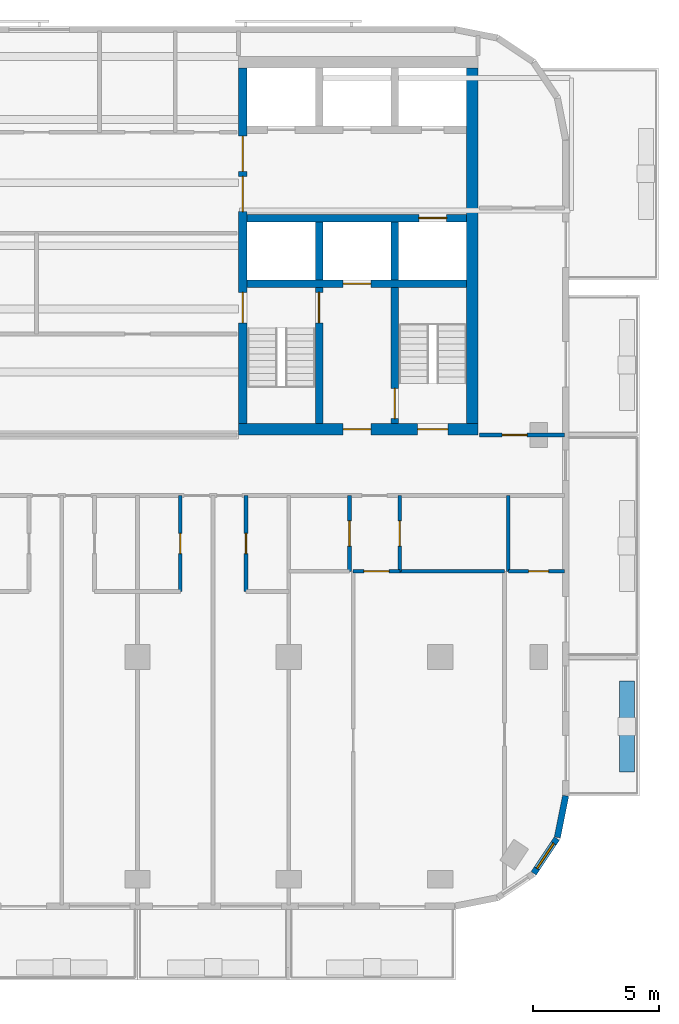
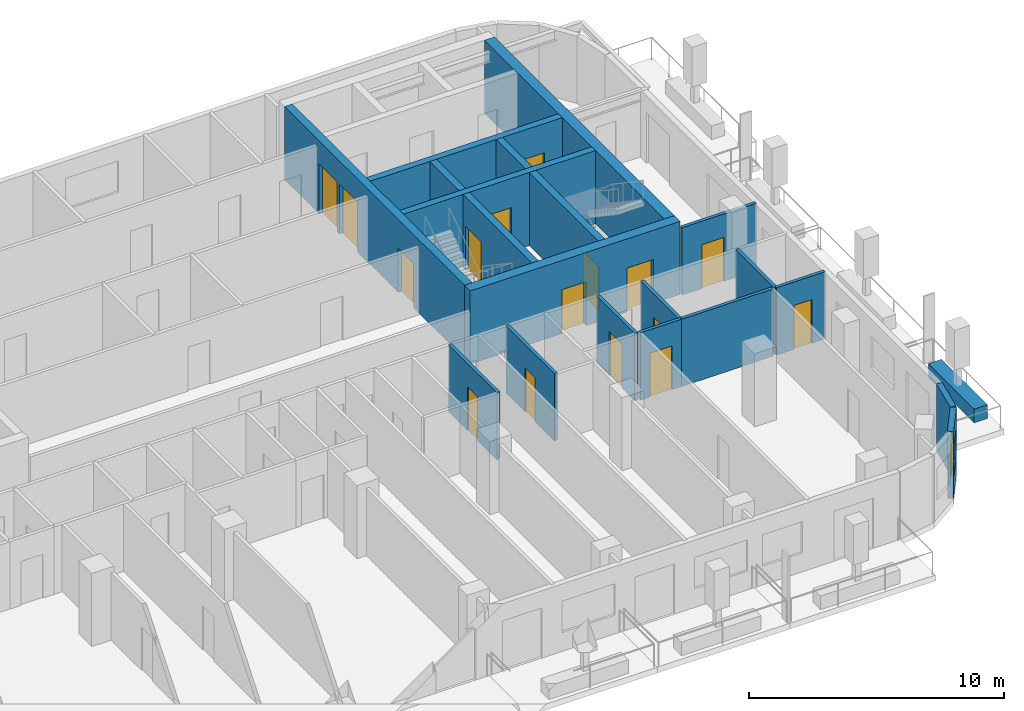
# One storey, part 5 of 11: 21 walls, 16 doors, 1 window, 17 openings.
"""IFC4 building model written with IfcOpenShell, lengths in metres."""

import ifcopenshell
import ifcopenshell.guid

model = None  # the IFC model being written
_history = None  # IfcOwnerHistory: only IFC2X3 demands one
_inside = {}  # id of a spatial element -> (the spatial element, [elements in it])
_under = {}  # id of a project, library or spatial element -> (it, [spatial elements below it])
_declared = {}  # id of a project -> (the project, [libraries it declares])
_typed = {}  # id of a type object -> (the type object, [elements of that type])
_made_of = {}  # id of a material, layer set ... -> (it, [elements and type objects made of it])


def new_model(schema):
    """Start an empty IFC model of exactly this schema.

    Asked for "IFC4X3", IfcOpenShell would pick the latest addendum, in which some entities
    have other attributes; the version numbers below select the first issue.
    IFC2X3 requires an IfcOwnerHistory on every rooted entity: one is made here for all.
    """
    global model, _history
    if schema == "IFC4X3":
        model = ifcopenshell.file(schema_version=(4, 3, 0, 0))
    else:
        model = ifcopenshell.file(schema=schema)
    _inside.clear()
    _under.clear()
    _declared.clear()
    _typed.clear()
    _made_of.clear()
    _history = None
    if model.schema == "IFC2X3":
        org = make("IfcOrganization", Name="unknown")
        user = make(
            "IfcPersonAndOrganization",
            ThePerson=make("IfcPerson", FamilyName="unknown"),
            TheOrganization=org,
        )
        app = make(
            "IfcApplication",
            ApplicationDeveloper=org,
            Version="unknown",
            ApplicationFullName="unknown",
            ApplicationIdentifier="unknown",
        )
        _history = make(
            "IfcOwnerHistory",
            OwningUser=user,
            OwningApplication=app,
            ChangeAction="ADDED",
            CreationDate=0,
        )
    return model


def make(cls, **values):
    """One entity of the class cls with the attributes given. An attribute that is None is left unset."""
    return model.create_entity(
        cls, **{name: value for name, value in values.items() if value is not None}
    )


def rooted(cls, **values):
    """An entity with a GlobalId (a new one), such as an element, a storey or a relation."""
    return make(cls, GlobalId=ifcopenshell.guid.new(), OwnerHistory=_history, **values)


def si_unit(unit_type, name, prefix=None):
    """IfcSIUnit, for example si_unit("LENGTHUNIT", "METRE", prefix="MILLI")."""
    return make("IfcSIUnit", UnitType=unit_type, Prefix=prefix, Name=name)


def assignment(units):
    """IfcUnitAssignment: the units of a project."""
    return None if units is None else make("IfcUnitAssignment", Units=units)


def point(xyz):
    """IfcCartesianPoint."""
    return None if xyz is None else make("IfcCartesianPoint", Coordinates=xyz)


def direction(xyz):
    """IfcDirection."""
    return None if xyz is None else make("IfcDirection", DirectionRatios=xyz)


def frame(location, z_axis=None, x_axis=None):
    """IfcAxis2Placement3D, a coordinate frame: its origin and axes. An axis left out is left unset."""
    return make(
        "IfcAxis2Placement3D",
        Location=point(location),
        Axis=direction(z_axis),
        RefDirection=direction(x_axis),
    )


def frame_2d(location, x_axis=None):
    """IfcAxis2Placement2D, a coordinate frame in the plane: its origin and x axis."""
    return make(
        "IfcAxis2Placement2D", Location=point(location), RefDirection=direction(x_axis)
    )


def origin():
    """The frame at (0, 0, 0) with its axes left unset."""
    return frame((0.0, 0.0, 0.0))


def place(relative_to, where):
    """IfcLocalPlacement: puts the frame where relative to a parent placement (None: the world)."""
    return make(
        "IfcLocalPlacement", PlacementRelTo=relative_to, RelativePlacement=where
    )


def context(
    kind, dimensions, precision=None, world=None, true_north=None, identifier=None
):
    """IfcGeometricRepresentationContext, for example the 3D "Model" context."""
    return make(
        "IfcGeometricRepresentationContext",
        ContextIdentifier=identifier,
        ContextType=kind,
        CoordinateSpaceDimension=dimensions,
        Precision=precision,
        WorldCoordinateSystem=world,
        TrueNorth=true_north,
    )


def subcontext(parent, identifier, kind, view, scale=None):
    """IfcGeometricRepresentationSubContext, for example "Body" below "Model"."""
    return make(
        "IfcGeometricRepresentationSubContext",
        ContextIdentifier=identifier,
        ContextType=kind,
        ParentContext=parent,
        TargetScale=scale,
        TargetView=view,
    )


def project(units=None, contexts=None):
    """IfcProject with its units and contexts."""
    return rooted(
        "IfcProject",
        Name="project",
        RepresentationContexts=contexts,
        UnitsInContext=assignment(units),
    )


def spatial(cls, under=None, at=None, **own):
    """A site, building, storey or space (cls), placed at a placement, below another one or the project."""
    s = rooted(cls, ObjectPlacement=at, **own)
    if under is not None:
        _under.setdefault(under.id(), (under, []))[1].append(s)
    return s


def profile(cls, at=None, kind="AREA", **sizes):
    """A parametric profile (cls). Its sizes go by their IFC names, for example OverallWidth=200.0."""
    return make(cls, ProfileType=kind, Position=at, **sizes)


def rectangle(**sizes):
    """IfcRectangleProfileDef."""
    return profile("IfcRectangleProfileDef", **sizes)


def extrude(swept, where, along, depth):
    """IfcExtrudedAreaSolid: the profile swept, set in the frame where, extruded along a direction by depth."""
    return make(
        "IfcExtrudedAreaSolid",
        SweptArea=swept,
        Position=where,
        ExtrudedDirection=direction(along),
        Depth=depth,
    )


def shape(context_of_items, identifier, shape_type, items):
    """IfcShapeRepresentation: the items that make up one representation, for example the "Body"."""
    return make(
        "IfcShapeRepresentation",
        ContextOfItems=context_of_items,
        RepresentationIdentifier=identifier,
        RepresentationType=shape_type,
        Items=items,
    )


def material(Name=None, Category=None):
    """IfcMaterial."""
    return make("IfcMaterial", Name=Name, Category=Category)


def layer(
    of_material, thickness, ventilated=None, Name=None, Category=None, Priority=None
):
    """IfcMaterialLayer: one layer of a wall or slab, of a material (None: an air gap)."""
    return make(
        "IfcMaterialLayer",
        Material=of_material,
        LayerThickness=thickness,
        IsVentilated=ventilated,
        Name=Name,
        Category=Category,
        Priority=Priority,
    )


def layer_set(layers, Name=None):
    """IfcMaterialLayerSet."""
    return make("IfcMaterialLayerSet", MaterialLayers=layers, LayerSetName=Name)


def made_of(thing, what):
    """Note that an element or type object is made of a material, layer set ...; save() writes the relation."""
    if what is not None:
        _made_of.setdefault(what.id(), (what, []))[1].append(thing)
    return thing


def type_object(cls, material=None, **own):
    """A type object (cls), such as IfcWallType, which elements share."""
    return made_of(rooted(cls, **own), material)


def element(
    cls,
    number,
    at=None,
    inside=None,
    cuts=None,
    type_object=None,
    material=None,
    context=None,
    identifier="Body",
    shape_type=None,
    held_by="IfcProductDefinitionShape",
    body=None,
    shapes=None,
    **own,
):
    """One element of the class cls, such as IfcWall. Its Tag is "e" and its number.

    at: its placement. inside: the storey or other place that contains it. cuts: it is an
    opening in that element (IfcRelVoidsElement). A single representation is given by context,
    identifier, shape_type and body (its items); several are given by shapes. held_by: the class
    of the entity that holds the representations. save() writes the other relations.
    """
    e = rooted(cls, Tag="e%d" % number, ObjectPlacement=at, **own)
    if body is not None:
        shapes = [shape(context, identifier, shape_type, body)]
    if shapes is not None:
        e.Representation = make(held_by, Representations=shapes)
    if inside is not None:
        _inside.setdefault(inside.id(), (inside, []))[1].append(e)
    if cuts is not None:
        rooted(
            "IfcRelVoidsElement", RelatingBuildingElement=cuts, RelatedOpeningElement=e
        )
    if type_object is not None:
        _typed.setdefault(type_object.id(), (type_object, []))[1].append(e)
    return made_of(e, material)


def fill(opening, filler):
    """IfcRelFillsElement: the door or window that sits in an opening."""
    return rooted(
        "IfcRelFillsElement",
        RelatingOpeningElement=opening,
        RelatedBuildingElement=filler,
    )


def aggregate(whole, parts):
    """IfcRelAggregates: a whole, such as a stair, and the parts it consists of."""
    return rooted("IfcRelAggregates", RelatingObject=whole, RelatedObjects=parts)


def save(model, path):
    """Write the relations noted so far, then the file.

    IfcRelAggregates (storeys below a building ...), IfcRelContainedInSpatialStructure (elements
    in a storey), IfcRelDefinesByType, IfcRelAssociatesMaterial and IfcRelDeclares: one each for
    every whole, place, type object, material and project.
    """
    for whole, parts in _under.values():
        aggregate(whole, parts)
    for where, things in _inside.values():
        rooted(
            "IfcRelContainedInSpatialStructure",
            RelatedElements=things,
            RelatingStructure=where,
        )
    for kind, things in _typed.values():
        rooted("IfcRelDefinesByType", RelatedObjects=things, RelatingType=kind)
    for what, things in _made_of.values():
        rooted("IfcRelAssociatesMaterial", RelatedObjects=things, RelatingMaterial=what)
    for by, libraries in _declared.values():
        rooted("IfcRelDeclares", RelatingContext=by, RelatedDefinitions=libraries)
    model.write(path)


model = new_model("IFC4")

# Units and contexts
model_context = context("Model", 3, precision=1e-05, world=origin(), true_north=direction((0.0, 1.0)))
body_context = subcontext(model_context, "Body", "Model", "MODEL_VIEW")
ifc_project = project(units=[si_unit("LENGTHUNIT", "METRE"), si_unit("AREAUNIT", "SQUARE_METRE"), si_unit("VOLUMEUNIT", "CUBIC_METRE"), si_unit("PLANEANGLEUNIT", "RADIAN"), si_unit("MASSUNIT", "GRAM", prefix="KILO")], contexts=[model_context])

# Site, building, storey
site_placement = place(None, origin())
site = spatial("IfcSite", under=ifc_project, at=site_placement, CompositionType="ELEMENT")
building_placement = place(site_placement, origin())
building = spatial("IfcBuilding", under=site, at=building_placement, Name="Torana Hotel and Residences", CompositionType="ELEMENT")
storey_placement = place(building_placement, frame((0.0, 0.0, 277.10009765625)))
storey = spatial("IfcBuildingStorey", under=building, at=storey_placement, Name="L73", CompositionType="ELEMENT", Elevation=277.10009765625)

# Wall, opening, door
ifc_material_1 = material(Name="Concrete C60/75", Category="concrete")
ifc_layer_1 = layer(ifc_material_1, 0.300048828125)
ifc_layer_set_1 = layer_set([ifc_layer_1], Name="CORE WALL 300 C60/75")
wall_type_1 = type_object("IfcWallType", Name="CORE WALL 300 C60/75", PredefinedType="SHEAR", material=ifc_layer_set_1)
wall_1_placement = place(storey_placement, frame((10.35009765625, -6.39990234375, 0.0), z_axis=(0.0, 0.0, 1.0), x_axis=(1.0, 0.0, 0.0)))
wall_1 = element("IfcWall", 1, at=wall_1_placement, inside=storey, type_object=wall_type_1, Name="Core wall E row-S", PredefinedType="SHEAR", context=body_context, shape_type="SweptSolid", body=[
    extrude(rectangle(XDim=8.699951171875, YDim=0.300048828125, at=frame_2d((4.35009765625, 0.0))), origin(), (0.0, 0.0, 1.0), 3.5),
])
opening_1_placement = place(wall_1_placement, frame((6.800048828125, 0.0, 0.0)))
opening_1 = element("IfcOpeningElement", 2, at=opening_1_placement, cuts=wall_1, Name="Opening LD", PredefinedType="OPENING", context=body_context, shape_type="SweptSolid", body=[
    extrude(rectangle(XDim=1.10009765625, YDim=2.10009765625, at=frame_2d((0.550048828125, 1.050048828125))), frame((0.0, 0.159912109375, 0.0), z_axis=(0.0, -1.0, 0.0), x_axis=(1.0, 0.0, 0.0)), (0.0, 0.0, 1.0), 0.320068359375),
])
ifc_material_2 = material(Name="Stainless steel 316", Category="steel")
door_type_1 = type_object("IfcDoorType", Name="LIFT LANDING DOOR LD 1100x2100", OperationType="DOUBLE_DOOR_SLIDING", PredefinedType="USERDEFINED", material=ifc_material_2)
door_1_placement = place(opening_1_placement, origin())
door_1 = element("IfcDoor", 3, at=door_1_placement, inside=storey, type_object=door_type_1, Name="Lift landing door SV2 L73", ObjectType="LIFT LANDING DOOR", OperationType="DOUBLE_DOOR_SLIDING", OverallHeight=2.10009765625, OverallWidth=1.10009765625, PredefinedType="USERDEFINED", context=body_context, shape_type="SweptSolid", body=[
    extrude(rectangle(XDim=1.10009765625, YDim=2.10009765625, at=frame_2d((0.550048828125, 1.050048828125))), frame((0.0, 0.02490234375, 0.0), z_axis=(0.0, -1.0, 0.0), x_axis=(1.0, 0.0, 0.0)), (0.0, 0.0, 1.0), 0.050048828125),
])
fill(opening_1, door_1)

wall_2_placement = place(storey_placement, frame((10.35009765625, -9.0, 0.0), z_axis=(0.0, 0.0, 1.0), x_axis=(1.0, 0.0, 0.0)))
wall_2 = element("IfcWall", 4, at=wall_2_placement, inside=storey, type_object=wall_type_1, Name="Core wall E band", PredefinedType="SHEAR", context=body_context, shape_type="SweptSolid", body=[
    extrude(rectangle(XDim=8.699951171875, YDim=0.300048828125, at=frame_2d((4.35009765625, 0.0))), origin(), (0.0, 0.0, 1.0), 3.5),
])
opening_2_placement = place(wall_2_placement, frame((3.800048828125, 0.0, 0.0)))
opening_2 = element("IfcOpeningElement", 5, at=opening_2_placement, cuts=wall_2, Name="Opening LD", PredefinedType="OPENING", context=body_context, shape_type="SweptSolid", body=[
    extrude(rectangle(XDim=1.10009765625, YDim=2.10009765625, at=frame_2d((0.550048828125, 1.050048828125))), frame((0.0, 0.159912109375, 0.0), z_axis=(0.0, -1.0, 0.0), x_axis=(1.0, 0.0, 0.0)), (0.0, 0.0, 1.0), 0.320068359375),
])
door_2_placement = place(opening_2_placement, origin())
door_2 = element("IfcDoor", 6, at=door_2_placement, inside=storey, type_object=door_type_1, Name="Lift landing door FF2 L73", ObjectType="LIFT LANDING DOOR", OperationType="DOUBLE_DOOR_SLIDING", OverallHeight=2.10009765625, OverallWidth=1.10009765625, PredefinedType="USERDEFINED", context=body_context, shape_type="SweptSolid", body=[
    extrude(rectangle(XDim=1.10009765625, YDim=2.10009765625, at=frame_2d((0.550048828125, 1.050048828125))), frame((0.0, 0.02490234375, 0.0), z_axis=(0.0, -1.0, 0.0), x_axis=(1.0, 0.0, 0.0)), (0.0, 0.0, 1.0), 0.050048828125),
])
fill(opening_2, door_2)

# Wall
wall_3_placement = place(storey_placement, frame((13.199951171875, -8.85009765625, 0.0), z_axis=(0.0, 0.0, 1.0), x_axis=(0.0, 1.0, 0.0)))
element("IfcWall", 7, at=wall_3_placement, inside=storey, type_object=wall_type_1, Name="Core wall E x3.05-S", PredefinedType="SHEAR", context=body_context, shape_type="SweptSolid", body=[
    extrude(rectangle(XDim=2.300048828125, YDim=0.300048828125, at=frame_2d((1.14990234375, 0.0))), origin(), (0.0, 0.0, 1.0), 3.5),
])

# Wall, opening, door
wall_4_placement = place(storey_placement, frame((13.199951171875, -14.550048828125, 0.0), z_axis=(0.0, 0.0, 1.0), x_axis=(0.0, 1.0, 0.0)))
wall_4 = element("IfcWall", 8, at=wall_4_placement, inside=storey, type_object=wall_type_1, Name="Core wall E x3.05-band", PredefinedType="SHEAR", context=body_context, shape_type="SweptSolid", body=[
    extrude(rectangle(XDim=5.400146484375, YDim=0.300048828125, at=frame_2d((2.7001953125, 0.0))), origin(), (0.0, 0.0, 1.0), 3.5),
])
opening_3_placement = place(wall_4_placement, frame((4.0, 0.0, 0.0)))
opening_3 = element("IfcOpeningElement", 9, at=opening_3_placement, cuts=wall_4, Name="Opening L73-15", PredefinedType="OPENING", context=body_context, shape_type="SweptSolid", body=[
    extrude(rectangle(XDim=1.199951171875, YDim=2.10009765625, at=frame_2d((0.60009765625, 1.050048828125))), frame((0.0, 0.159912109375, 0.0), z_axis=(0.0, -1.0, 0.0), x_axis=(1.0, 0.0, 0.0)), (0.0, 0.0, 1.0), 0.320068359375),
])
ifc_material_3 = material(Name="Steel S235", Category="steel")
door_type_2 = type_object("IfcDoorType", Name="STAIR FIRE DOOR D3 1200x2100", OperationType="SINGLE_SWING_LEFT", PredefinedType="DOOR", material=ifc_material_3)
door_3_placement = place(opening_3_placement, origin())
door_3 = element("IfcDoor", 10, at=door_3_placement, inside=storey, type_object=door_type_2, Name="Stair-A-lobby door L73", OperationType="SINGLE_SWING_LEFT", OverallHeight=2.10009765625, OverallWidth=1.199951171875, PredefinedType="DOOR", context=body_context, shape_type="SweptSolid", body=[
    extrude(rectangle(XDim=1.199951171875, YDim=2.10009765625, at=frame_2d((0.60009765625, 1.050048828125))), frame((0.0, 0.02490234375, 0.0), z_axis=(0.0, -1.0, 0.0), x_axis=(1.0, 0.0, 0.0)), (0.0, 0.0, 1.0), 0.050048828125),
])
fill(opening_3, door_3)

# Wall
wall_5_placement = place(storey_placement, frame((16.199951171875, -8.85009765625, 0.0), z_axis=(0.0, 0.0, 1.0), x_axis=(0.0, 1.0, 0.0)))
element("IfcWall", 11, at=wall_5_placement, inside=storey, type_object=wall_type_1, Name="Core wall E x6.05-S", PredefinedType="SHEAR", context=body_context, shape_type="SweptSolid", body=[
    extrude(rectangle(XDim=2.300048828125, YDim=0.300048828125, at=frame_2d((1.14990234375, 0.0))), origin(), (0.0, 0.0, 1.0), 3.5),
])

# Wall, opening, door
wall_6_placement = place(storey_placement, frame((16.199951171875, -14.550048828125, 0.0), z_axis=(0.0, 0.0, 1.0), x_axis=(0.0, 1.0, 0.0)))
wall_6 = element("IfcWall", 12, at=wall_6_placement, inside=storey, type_object=wall_type_1, Name="Core wall E x6.05-band", PredefinedType="SHEAR", context=body_context, shape_type="SweptSolid", body=[
    extrude(rectangle(XDim=5.400146484375, YDim=0.300048828125, at=frame_2d((2.7001953125, 0.0))), origin(), (0.0, 0.0, 1.0), 3.5),
])
opening_4_placement = place(wall_6_placement, frame((0.199951171875, 0.0, 0.0)))
opening_4 = element("IfcOpeningElement", 13, at=opening_4_placement, cuts=wall_6, Name="Opening L73-16", PredefinedType="OPENING", context=body_context, shape_type="SweptSolid", body=[
    extrude(rectangle(XDim=1.199951171875, YDim=2.10009765625, at=frame_2d((0.60009765625, 1.050048828125))), frame((0.0, 0.159912109375, 0.0), z_axis=(0.0, -1.0, 0.0), x_axis=(1.0, 0.0, 0.0)), (0.0, 0.0, 1.0), 0.320068359375),
])
door_4_placement = place(opening_4_placement, frame((0.60009765625, 0.0, 0.0), z_axis=(0.0, 0.0, 1.0), x_axis=(-1.0, 0.0, 0.0)))
door_4 = element("IfcDoor", 14, at=door_4_placement, inside=storey, type_object=door_type_2, Name="Stair-B-lobby door L73", OperationType="SINGLE_SWING_LEFT", OverallHeight=2.10009765625, OverallWidth=1.199951171875, PredefinedType="DOOR", context=body_context, shape_type="SweptSolid", body=[
    extrude(rectangle(XDim=1.199951171875, YDim=2.10009765625, at=frame_2d((0.0, 1.050048828125))), frame((0.0, -0.02490234375, 0.0), z_axis=(0.0, 1.0, 0.0), x_axis=(-1.0, 0.0, 0.0)), (0.0, 0.0, 1.0), 0.050048828125),
])
fill(opening_4, door_4)

# Wall, openings, doors
ifc_material_4 = material(Name="Concrete C60/75", Category="concrete")
ifc_layer_2 = layer(ifc_material_4, 0.35009765625)
ifc_layer_set_2 = layer_set([ifc_layer_2], Name="CORE WALL 350 C60/75")
wall_type_2 = type_object("IfcWallType", Name="CORE WALL 350 C60/75", PredefinedType="SHEAR", material=ifc_layer_set_2)
wall_7_placement = place(storey_placement, frame((10.175048828125, -14.550048828125, 0.0), z_axis=(0.0, 0.0, 1.0), x_axis=(0.0, 1.0, 0.0)))
wall_7 = element("IfcWall", 15, at=wall_7_placement, inside=storey, type_object=wall_type_2, Name="Core wall E arch", PredefinedType="SHEAR", context=body_context, shape_type="SweptSolid", body=[
    extrude(rectangle(XDim=14.10009765625, YDim=0.35009765625, at=frame_2d((7.050048828125, 0.0))), origin(), (0.0, 0.0, 1.0), 3.5),
])
opening_5_placement = place(wall_7_placement, frame((8.39990234375, 0.0, 0.0)))
opening_5 = element("IfcOpeningElement", 16, at=opening_5_placement, cuts=wall_7, Name="Opening L73-09", PredefinedType="OPENING", context=body_context, shape_type="SweptSolid", body=[
    extrude(rectangle(XDim=1.39990234375, YDim=2.39990234375, at=frame_2d((0.699951171875, 1.199951171875))), frame((0.0, 0.18505859375, 0.0), z_axis=(0.0, -1.0, 0.0), x_axis=(1.0, 0.0, 0.0)), (0.0, 0.0, 1.0), 0.3701171875),
])
opening_6_placement = place(wall_7_placement, frame((10.0, 0.0, 0.0)))
opening_6 = element("IfcOpeningElement", 17, at=opening_6_placement, cuts=wall_7, Name="Opening L73-10", PredefinedType="OPENING", context=body_context, shape_type="SweptSolid", body=[
    extrude(rectangle(XDim=1.39990234375, YDim=2.39990234375, at=frame_2d((0.699951171875, 1.199951171875))), frame((0.0, 0.18505859375, 0.0), z_axis=(0.0, -1.0, 0.0), x_axis=(1.0, 0.0, 0.0)), (0.0, 0.0, 1.0), 0.3701171875),
])
opening_7_placement = place(wall_7_placement, frame((4.0, 0.0, 0.0)))
opening_7 = element("IfcOpeningElement", 18, at=opening_7_placement, cuts=wall_7, Name="Opening L73-11", PredefinedType="OPENING", context=body_context, shape_type="SweptSolid", body=[
    extrude(rectangle(XDim=1.199951171875, YDim=2.10009765625, at=frame_2d((0.60009765625, 1.050048828125))), frame((0.0, 0.18505859375, 0.0), z_axis=(0.0, -1.0, 0.0), x_axis=(1.0, 0.0, 0.0)), (0.0, 0.0, 1.0), 0.3701171875),
])
ifc_material_5 = material(Name="Steel S235", Category="steel")
door_type_3 = type_object("IfcDoorType", Name="LOBBY FIRE DOOR D4 1400x2400", OperationType="DOUBLE_DOOR_SINGLE_SWING", PredefinedType="DOOR", material=ifc_material_5)
door_5_placement = place(opening_5_placement, origin())
door_5 = element("IfcDoor", 19, at=door_5_placement, inside=storey, type_object=door_type_3, Name="Lobby-1 door L73", OperationType="DOUBLE_DOOR_SINGLE_SWING", OverallHeight=2.39990234375, OverallWidth=1.39990234375, PredefinedType="DOOR", context=body_context, shape_type="SweptSolid", body=[
    extrude(rectangle(XDim=1.39990234375, YDim=2.39990234375, at=frame_2d((0.699951171875, 1.199951171875))), frame((0.0, 0.02490234375, 0.0), z_axis=(0.0, -1.0, 0.0), x_axis=(1.0, 0.0, 0.0)), (0.0, 0.0, 1.0), 0.050048828125),
])
fill(opening_5, door_5)
door_6_placement = place(opening_6_placement, origin())
door_6 = element("IfcDoor", 20, at=door_6_placement, inside=storey, type_object=door_type_3, Name="Lobby-2 door L73", OperationType="DOUBLE_DOOR_SINGLE_SWING", OverallHeight=2.39990234375, OverallWidth=1.39990234375, PredefinedType="DOOR", context=body_context, shape_type="SweptSolid", body=[
    extrude(rectangle(XDim=1.39990234375, YDim=2.39990234375, at=frame_2d((0.699951171875, 1.199951171875))), frame((0.0, 0.02490234375, 0.0), z_axis=(0.0, -1.0, 0.0), x_axis=(1.0, 0.0, 0.0)), (0.0, 0.0, 1.0), 0.050048828125),
])
fill(opening_6, door_6)
door_7_placement = place(opening_7_placement, frame((0.60009765625, 0.0, 0.0), z_axis=(0.0, 0.0, 1.0), x_axis=(-1.0, 0.0, 0.0)))
door_7 = element("IfcDoor", 21, at=door_7_placement, inside=storey, type_object=door_type_2, Name="Stair-A door L73", OperationType="SINGLE_SWING_RIGHT", OverallHeight=2.10009765625, OverallWidth=1.199951171875, PredefinedType="DOOR", context=body_context, shape_type="SweptSolid", body=[
    extrude(rectangle(XDim=1.199951171875, YDim=2.10009765625, at=frame_2d((0.0, 1.050048828125))), frame((0.0, -0.02490234375, 0.0), z_axis=(0.0, 1.0, 0.0), x_axis=(-1.0, 0.0, 0.0)), (0.0, 0.0, 1.0), 0.050048828125),
])
fill(opening_7, door_7)

ifc_material_6 = material(Name="Concrete C60/75", Category="concrete")
ifc_layer_3 = layer(ifc_material_6, 0.449951171875)
ifc_layer_set_3 = layer_set([ifc_layer_3], Name="CORE WALL 450 C60/75")
wall_type_3 = type_object("IfcWallType", Name="CORE WALL 450 C60/75", PredefinedType="SHEAR", material=ifc_layer_set_3)
wall_8_placement = place(storey_placement, frame((10.0, -14.77490234375, 0.0), z_axis=(0.0, 0.0, 1.0), x_axis=(1.0, 0.0, 0.0)))
wall_8 = element("IfcWall", 22, at=wall_8_placement, inside=storey, type_object=wall_type_3, Name="Core wall E front", PredefinedType="SHEAR", context=body_context, shape_type="SweptSolid", body=[
    extrude(rectangle(XDim=9.5, YDim=0.449951171875, at=frame_2d((4.75, 0.0))), origin(), (0.0, 0.0, 1.0), 3.5),
])
opening_8_placement = place(wall_8_placement, frame((7.10009765625, 0.0, 0.0)))
opening_8 = element("IfcOpeningElement", 23, at=opening_8_placement, cuts=wall_8, Name="Opening L73-12", PredefinedType="OPENING", context=body_context, shape_type="SweptSolid", body=[
    extrude(rectangle(XDim=1.199951171875, YDim=2.10009765625, at=frame_2d((0.60009765625, 1.050048828125))), frame((0.0, 0.23486328125, 0.0), z_axis=(0.0, -1.0, 0.0), x_axis=(1.0, 0.0, 0.0)), (0.0, 0.0, 1.0), 0.469970703125),
])
opening_9_placement = place(wall_8_placement, frame((4.14990234375, 0.0, 0.0)))
opening_9 = element("IfcOpeningElement", 24, at=opening_9_placement, cuts=wall_8, Name="Opening L73-13", PredefinedType="OPENING", context=body_context, shape_type="SweptSolid", body=[
    extrude(rectangle(XDim=1.10009765625, YDim=2.10009765625, at=frame_2d((0.550048828125, 1.050048828125))), frame((0.0, 0.23486328125, 0.0), z_axis=(0.0, -1.0, 0.0), x_axis=(1.0, 0.0, 0.0)), (0.0, 0.0, 1.0), 0.469970703125),
])
ifc_material_7 = material(Name="Steel S235", Category="steel")
door_type_4 = type_object("IfcDoorType", Name="FIRE-FIGHTING LOBBY DOOR D8 1100x2100", OperationType="SINGLE_SWING_LEFT", PredefinedType="DOOR", material=ifc_material_7)
door_8_placement = place(opening_9_placement, origin())
door_8 = element("IfcDoor", 25, at=door_8_placement, inside=storey, type_object=door_type_4, Name="FF-lobby door L73", OperationType="SINGLE_SWING_RIGHT", OverallHeight=2.10009765625, OverallWidth=1.10009765625, PredefinedType="DOOR", context=body_context, shape_type="SweptSolid", body=[
    extrude(rectangle(XDim=1.10009765625, YDim=2.10009765625, at=frame_2d((0.550048828125, 1.050048828125))), frame((0.0, 0.02490234375, 0.0), z_axis=(0.0, -1.0, 0.0), x_axis=(1.0, 0.0, 0.0)), (0.0, 0.0, 1.0), 0.050048828125),
])
fill(opening_9, door_8)
door_9_placement = place(opening_8_placement, origin())
door_9 = element("IfcDoor", 26, at=door_9_placement, inside=storey, type_object=door_type_2, Name="Stair-B door L73", OperationType="SINGLE_SWING_RIGHT", OverallHeight=2.10009765625, OverallWidth=1.199951171875, PredefinedType="DOOR", context=body_context, shape_type="SweptSolid", body=[
    extrude(rectangle(XDim=1.199951171875, YDim=2.10009765625, at=frame_2d((0.60009765625, 1.050048828125))), frame((0.0, 0.02490234375, 0.0), z_axis=(0.0, -1.0, 0.0), x_axis=(1.0, 0.0, 0.0)), (0.0, 0.0, 1.0), 0.050048828125),
])
fill(opening_8, door_9)

# Wall
wall_9_placement = place(storey_placement, frame((19.27490234375, -14.550048828125, 0.0), z_axis=(0.0, 0.0, 1.0), x_axis=(0.0, 1.0, 0.0)))
element("IfcWall", 27, at=wall_9_placement, inside=storey, type_object=wall_type_3, Name="Core wall E outer", PredefinedType="SHEAR", context=body_context, shape_type="SweptSolid", body=[
    extrude(rectangle(XDim=14.10009765625, YDim=0.449951171875, at=frame_2d((7.050048828125, 0.0))), origin(), (0.0, 0.0, 1.0), 3.5),
])

# Wall, opening, window
ifc_material_8 = material(Name="Black aluminium composite panel", Category="aluminium")
ifc_layer_4 = layer(ifc_material_8, 0.00390625, Name="Cladding", Category="cladding")
ifc_material_9 = material(Name="Ventilated air cavity")
ifc_layer_5 = layer(ifc_material_9, 0.0400390625, Name="Ventilated cavity", Category="cavity")
ifc_material_10 = material(Name="Mineral wool insulation")
ifc_layer_6 = layer(ifc_material_10, 0.090087890625, Name="Insulation", Category="insulation")
ifc_material_11 = material(Name="Steel S280GD", Category="steel")
ifc_layer_7 = layer(ifc_material_11, 0.092041015625, Name="Steel stud frame", Category="structure")
ifc_material_12 = material(Name="Fire rated plasterboard")
ifc_layer_8 = layer(ifc_material_12, 0.011962890625, Name="Inner board", Category="finish")
ifc_layer_9 = layer(ifc_material_12, 0.011962890625, Name="Second board", Category="finish")
ifc_layer_set_4 = layer_set([ifc_layer_4, ifc_layer_5, ifc_layer_6, ifc_layer_7, ifc_layer_8, ifc_layer_9], Name="EW1 EXTERNAL WALL BLACK METAL CLAD 250")
wall_type_4 = type_object("IfcWallType", Name="EW1 EXTERNAL WALL BLACK METAL CLAD 250", PredefinedType="SOLIDWALL", material=ifc_layer_set_4)
wall_10_placement = place(storey_placement, frame((21.705810546875, -32.37109375, 0.0), z_axis=(0.0, 0.0, 1.0), x_axis=(0.55555029066, 0.831482937015, 0.0)))
wall_10 = element("IfcWall", 28, at=wall_10_placement, inside=storey, type_object=wall_type_4, Name="External wall L73 e0.17", PredefinedType="SOLIDWALL", context=body_context, shape_type="SweptSolid", body=[
    extrude(rectangle(XDim=1.65625, YDim=0.25, at=frame_2d((0.828125, 0.0))), origin(), (0.0, 0.0, 1.0), 3.219970703125),
])
opening_10_placement = place(wall_10_placement, frame((0.228271484375, 0.0, 0.89990234375)))
opening_10 = element("IfcOpeningElement", 29, at=opening_10_placement, cuts=wall_10, Name="Opening W5", PredefinedType="OPENING", context=body_context, shape_type="SweptSolid", body=[
    extrude(rectangle(XDim=1.199951171875, YDim=1.5, at=frame_2d((0.60009765625, 0.75))), frame((0.0, 0.135009765625, 0.0), z_axis=(0.0, -1.0, 0.0), x_axis=(1.0, 0.0, 0.0)), (0.0, 0.0, 1.0), 0.27001953125),
])
ifc_material_13 = material(Name="Dark glass in black aluminium frame", Category="aluminium")
window_type = type_object("IfcWindowType", Name="W5 CORNER FACET WINDOW 1200x1500", PartitioningType="SINGLE_PANEL", PredefinedType="WINDOW", material=ifc_material_13)
window_placement = place(opening_10_placement, origin())
window = element("IfcWindow", 30, at=window_placement, inside=storey, type_object=window_type, Name="Window L73 e0.17", OverallHeight=1.5, OverallWidth=1.199951171875, PartitioningType="SINGLE_PANEL", PredefinedType="WINDOW", context=body_context, shape_type="SweptSolid", body=[
    extrude(rectangle(XDim=1.199951171875, YDim=1.5, at=frame_2d((0.60009765625, 0.75))), frame((0.0, 0.030029296875, 0.0), z_axis=(0.0, -1.0, 0.0), x_axis=(1.0, 0.0, 0.0)), (0.0, 0.0, 1.0), 0.06005859375),
])
fill(opening_10, window)

# Wall
wall_11_placement = place(storey_placement, frame((22.64453125, -30.948974609375, 0.0), z_axis=(0.0, 0.0, 1.0), x_axis=(0.19513878023, 0.980775640221, 0.0)))
element("IfcWall", 31, at=wall_11_placement, inside=storey, type_object=wall_type_4, Name="External wall L73 e0.18", PredefinedType="SOLIDWALL", context=body_context, shape_type="SweptSolid", body=[
    extrude(rectangle(XDim=1.681396484375, YDim=0.25, at=frame_2d((0.8408203125, 0.0))), origin(), (0.0, 0.0, 1.0), 3.219970703125),
])

# Wall, opening, door
ifc_material_14 = material(Name="Gypsum plaster")
ifc_layer_10 = layer(ifc_material_14, 0.014892578125, Name="Plaster", Category="finish")
ifc_material_15 = material(Name="Concrete blockwork", Category="masonry")
ifc_layer_11 = layer(ifc_material_15, 0.1201171875, Name="Blockwork", Category="structure")
ifc_layer_12 = layer(ifc_material_14, 0.014892578125, Name="Plaster", Category="finish")
ifc_layer_set_5 = layer_set([ifc_layer_10, ifc_layer_11, ifc_layer_12], Name="FIRE PARTITION 150 BLOCKWORK")
wall_type_5 = type_object("IfcWallType", Name="FIRE PARTITION 150 BLOCKWORK", PredefinedType="PARTITIONING", material=ifc_layer_set_5)
wall_12_placement = place(storey_placement, frame((16.39990234375, -20.39990234375, 0.0), z_axis=(0.0, 0.0, 1.0), x_axis=(0.0, 1.0, 0.0)))
wall_12 = element("IfcWall", 32, at=wall_12_placement, inside=storey, type_object=wall_type_5, Name="Partition L73", PredefinedType="PARTITIONING", context=body_context, shape_type="SweptSolid", body=[
    extrude(rectangle(XDim=3.0, YDim=0.14990234375, at=frame_2d((1.5, 0.0))), origin(), (0.0, 0.0, 1.0), 3.219970703125),
])
opening_11_placement = place(wall_12_placement, frame((1.0, 0.0, 0.0)))
opening_11 = element("IfcOpeningElement", 33, at=opening_11_placement, cuts=wall_12, Name="Opening L73-52", PredefinedType="OPENING", context=body_context, shape_type="SweptSolid", body=[
    extrude(rectangle(XDim=1.0, YDim=2.10009765625, at=frame_2d((0.5, 1.050048828125))), frame((0.0, 0.0849609375, 0.0), z_axis=(0.0, -1.0, 0.0), x_axis=(1.0, 0.0, 0.0)), (0.0, 0.0, 1.0), 0.169921875),
])
ifc_material_16 = material(Name="Steel S235", Category="steel")
door_type_5 = type_object("IfcDoorType", Name="ENTRY FIRE DOOR D6 1000x2100", OperationType="SINGLE_SWING_LEFT", PredefinedType="DOOR", material=ifc_material_16)
door_10_placement = place(opening_11_placement, frame((0.5, 0.0, 0.0), z_axis=(0.0, 0.0, 1.0), x_axis=(-1.0, 0.0, 0.0)))
door_10 = element("IfcDoor", 34, at=door_10_placement, inside=storey, type_object=door_type_5, Name="Door L73", OperationType="SINGLE_SWING_LEFT", OverallHeight=2.10009765625, OverallWidth=1.0, PredefinedType="DOOR", context=body_context, shape_type="SweptSolid", body=[
    extrude(rectangle(XDim=1.0, YDim=2.10009765625, at=frame_2d((0.0, 1.050048828125))), frame((0.0, -0.02490234375, 0.0), z_axis=(0.0, 1.0, 0.0), x_axis=(-1.0, 0.0, 0.0)), (0.0, 0.0, 1.0), 0.050048828125),
])
fill(opening_11, door_10)

wall_13_placement = place(storey_placement, frame((14.39990234375, -20.39990234375, 0.0), z_axis=(0.0, 0.0, 1.0), x_axis=(0.0, 1.0, 0.0)))
wall_13 = element("IfcWall", 35, at=wall_13_placement, inside=storey, type_object=wall_type_5, Name="Partition L73", PredefinedType="PARTITIONING", context=body_context, shape_type="SweptSolid", body=[
    extrude(rectangle(XDim=3.0, YDim=0.14990234375, at=frame_2d((1.5, 0.0))), origin(), (0.0, 0.0, 1.0), 3.219970703125),
])
opening_12_placement = place(wall_13_placement, frame((1.0, 0.0, 0.0)))
opening_12 = element("IfcOpeningElement", 36, at=opening_12_placement, cuts=wall_13, Name="Opening L73-51", PredefinedType="OPENING", context=body_context, shape_type="SweptSolid", body=[
    extrude(rectangle(XDim=1.0, YDim=2.10009765625, at=frame_2d((0.5, 1.050048828125))), frame((0.0, 0.0849609375, 0.0), z_axis=(0.0, -1.0, 0.0), x_axis=(1.0, 0.0, 0.0)), (0.0, 0.0, 1.0), 0.169921875),
])
door_11_placement = place(opening_12_placement, origin())
door_11 = element("IfcDoor", 37, at=door_11_placement, inside=storey, type_object=door_type_5, Name="Door L73", OperationType="SINGLE_SWING_RIGHT", OverallHeight=2.10009765625, OverallWidth=1.0, PredefinedType="DOOR", context=body_context, shape_type="SweptSolid", body=[
    extrude(rectangle(XDim=1.0, YDim=2.10009765625, at=frame_2d((0.5, 1.050048828125))), frame((0.0, 0.02490234375, 0.0), z_axis=(0.0, -1.0, 0.0), x_axis=(1.0, 0.0, 0.0)), (0.0, 0.0, 1.0), 0.050048828125),
])
fill(opening_12, door_11)

wall_14_placement = place(storey_placement, frame((14.550048828125, -20.39990234375, 0.0), z_axis=(0.0, 0.0, 1.0), x_axis=(1.0, 0.0, 0.0)))
wall_14 = element("IfcWall", 38, at=wall_14_placement, inside=storey, type_object=wall_type_5, Name="Partition L73", PredefinedType="PARTITIONING", context=body_context, shape_type="SweptSolid", body=[
    extrude(rectangle(XDim=1.849853515625, YDim=0.14990234375, at=frame_2d((0.9248046875, 0.0))), origin(), (0.0, 0.0, 1.0), 3.219970703125),
])
opening_13_placement = place(wall_14_placement, frame((0.425048828125, 0.0, 0.0)))
opening_13 = element("IfcOpeningElement", 39, at=opening_13_placement, cuts=wall_14, Name="Opening L73-53", PredefinedType="OPENING", context=body_context, shape_type="SweptSolid", body=[
    extrude(rectangle(XDim=1.0, YDim=2.10009765625, at=frame_2d((0.5, 1.050048828125))), frame((0.0, 0.0849609375, 0.0), z_axis=(0.0, -1.0, 0.0), x_axis=(1.0, 0.0, 0.0)), (0.0, 0.0, 1.0), 0.169921875),
])
door_12_placement = place(opening_13_placement, frame((0.5, 0.0, 0.0), z_axis=(0.0, 0.0, 1.0), x_axis=(-1.0, 0.0, 0.0)))
door_12 = element("IfcDoor", 40, at=door_12_placement, inside=storey, type_object=door_type_5, Name="Door L73", OperationType="SINGLE_SWING_LEFT", OverallHeight=2.10009765625, OverallWidth=1.0, PredefinedType="DOOR", context=body_context, shape_type="SweptSolid", body=[
    extrude(rectangle(XDim=1.0, YDim=2.10009765625, at=frame_2d((0.0, 1.050048828125))), frame((0.0, -0.02490234375, 0.0), z_axis=(0.0, 1.0, 0.0), x_axis=(-1.0, 0.0, 0.0)), (0.0, 0.0, 1.0), 0.050048828125),
])
fill(opening_13, door_12)

wall_15_placement = place(storey_placement, frame((19.550048828125, -15.0, 0.0), z_axis=(0.0, 0.0, 1.0), x_axis=(1.0, 0.0, 0.0)))
wall_15 = element("IfcWall", 41, at=wall_15_placement, inside=storey, type_object=wall_type_5, Name="Partition L73", PredefinedType="PARTITIONING", context=body_context, shape_type="SweptSolid", body=[
    extrude(rectangle(XDim=3.369873046875, YDim=0.14990234375, at=frame_2d((1.68505859375, 0.0))), origin(), (0.0, 0.0, 1.0), 3.219970703125),
])
opening_14_placement = place(wall_15_placement, frame((0.89990234375, 0.0, 0.0)))
opening_14 = element("IfcOpeningElement", 42, at=opening_14_placement, cuts=wall_15, Name="Opening L73-27", PredefinedType="OPENING", context=body_context, shape_type="SweptSolid", body=[
    extrude(rectangle(XDim=1.0, YDim=2.10009765625, at=frame_2d((0.5, 1.050048828125))), frame((0.0, 0.0849609375, 0.0), z_axis=(0.0, -1.0, 0.0), x_axis=(1.0, 0.0, 0.0)), (0.0, 0.0, 1.0), 0.169921875),
])
ifc_material_17 = material(Name="Steel S235", Category="steel")
door_type_6 = type_object("IfcDoorType", Name="CORE ROOM FIRE DOOR D14 1000x2100", OperationType="SINGLE_SWING_LEFT", PredefinedType="DOOR", material=ifc_material_17)
door_13_placement = place(opening_14_placement, origin())
door_13 = element("IfcDoor", 43, at=door_13_placement, inside=storey, type_object=door_type_6, Name="Door L73", OperationType="SINGLE_SWING_LEFT", OverallHeight=2.10009765625, OverallWidth=1.0, PredefinedType="DOOR", context=body_context, shape_type="SweptSolid", body=[
    extrude(rectangle(XDim=1.0, YDim=2.10009765625, at=frame_2d((0.5, 1.050048828125))), frame((0.0, 0.02490234375, 0.0), z_axis=(0.0, -1.0, 0.0), x_axis=(1.0, 0.0, 0.0)), (0.0, 0.0, 1.0), 0.050048828125),
])
fill(opening_14, door_13)

# Wall
ifc_material_18 = material(Name="Gypsum plasterboard")
ifc_layer_13 = layer(ifc_material_18, 0.012451171875, Name="Plasterboard", Category="finish")
ifc_layer_14 = layer(ifc_material_18, 0.012451171875, Name="Plasterboard", Category="finish")
ifc_layer_15 = layer(ifc_material_11, 0.10009765625, Name="Steel studs with mineral wool", Category="insulation")
ifc_layer_16 = layer(ifc_material_18, 0.012451171875, Name="Plasterboard", Category="finish")
ifc_layer_17 = layer(ifc_material_18, 0.012451171875, Name="Plasterboard", Category="finish")
ifc_layer_set_6 = layer_set([ifc_layer_13, ifc_layer_14, ifc_layer_15, ifc_layer_16, ifc_layer_17], Name="PARTITION 150 PLASTERBOARD")
wall_type_6 = type_object("IfcWallType", Name="PARTITION 150 PLASTERBOARD", PredefinedType="PARTITIONING", material=ifc_layer_set_6)
wall_16_placement = place(storey_placement, frame((20.699951171875, -20.39990234375, 0.0), z_axis=(0.0, 0.0, 1.0), x_axis=(0.0, 1.0, 0.0)))
element("IfcWall", 44, at=wall_16_placement, inside=storey, type_object=wall_type_6, Name="Partition L73", PredefinedType="PARTITIONING", context=body_context, shape_type="SweptSolid", body=[
    extrude(rectangle(XDim=3.0, YDim=0.14990234375, at=frame_2d((1.5, 0.0))), origin(), (0.0, 0.0, 1.0), 3.219970703125),
])

# Wall, opening, door
wall_17_placement = place(storey_placement, frame((10.300048828125, -21.199951171875, 0.0), z_axis=(0.0, 0.0, 1.0), x_axis=(0.0, 1.0, 0.0)))
wall_17 = element("IfcWall", 45, at=wall_17_placement, inside=storey, type_object=wall_type_6, Name="Partition L73", PredefinedType="PARTITIONING", context=body_context, shape_type="SweptSolid", body=[
    extrude(rectangle(XDim=3.800048828125, YDim=0.14990234375, at=frame_2d((1.89990234375, 0.0))), origin(), (0.0, 0.0, 1.0), 3.219970703125),
])
opening_15_placement = place(wall_17_placement, frame((1.5, 0.0, 0.0)))
opening_15 = element("IfcOpeningElement", 46, at=opening_15_placement, cuts=wall_17, Name="Opening L73-42", PredefinedType="OPENING", context=body_context, shape_type="SweptSolid", body=[
    extrude(rectangle(XDim=0.800048828125, YDim=2.10009765625, at=frame_2d((0.39990234375, 1.050048828125))), frame((0.0, 0.0849609375, 0.0), z_axis=(0.0, -1.0, 0.0), x_axis=(1.0, 0.0, 0.0)), (0.0, 0.0, 1.0), 0.169921875),
])
ifc_material_19 = material(Name="Timber door, painted", Category="wood")
door_type_7 = type_object("IfcDoorType", Name="BATH DOOR D13 800x2100", OperationType="SINGLE_SWING_LEFT", PredefinedType="DOOR", material=ifc_material_19)
door_14_placement = place(opening_15_placement, origin())
door_14 = element("IfcDoor", 47, at=door_14_placement, inside=storey, type_object=door_type_7, Name="Door L73", OperationType="SINGLE_SWING_RIGHT", OverallHeight=2.10009765625, OverallWidth=0.800048828125, PredefinedType="DOOR", context=body_context, shape_type="SweptSolid", body=[
    extrude(rectangle(XDim=0.800048828125, YDim=2.10009765625, at=frame_2d((0.39990234375, 1.050048828125))), frame((0.0, 0.02490234375, 0.0), z_axis=(0.0, -1.0, 0.0), x_axis=(1.0, 0.0, 0.0)), (0.0, 0.0, 1.0), 0.050048828125),
])
fill(opening_15, door_14)

wall_18_placement = place(storey_placement, frame((7.699951171875, -21.199951171875, 0.0), z_axis=(0.0, 0.0, 1.0), x_axis=(0.0, 1.0, 0.0)))
wall_18 = element("IfcWall", 48, at=wall_18_placement, inside=storey, type_object=wall_type_6, Name="Partition L73", PredefinedType="PARTITIONING", context=body_context, shape_type="SweptSolid", body=[
    extrude(rectangle(XDim=3.800048828125, YDim=0.14990234375, at=frame_2d((1.89990234375, 0.0))), origin(), (0.0, 0.0, 1.0), 3.219970703125),
])
opening_16_placement = place(wall_18_placement, frame((1.5, 0.0, 0.0)))
opening_16 = element("IfcOpeningElement", 49, at=opening_16_placement, cuts=wall_18, Name="Opening L73-41", PredefinedType="OPENING", context=body_context, shape_type="SweptSolid", body=[
    extrude(rectangle(XDim=0.800048828125, YDim=2.10009765625, at=frame_2d((0.39990234375, 1.050048828125))), frame((0.0, 0.0849609375, 0.0), z_axis=(0.0, -1.0, 0.0), x_axis=(1.0, 0.0, 0.0)), (0.0, 0.0, 1.0), 0.169921875),
])
door_15_placement = place(opening_16_placement, origin())
door_15 = element("IfcDoor", 50, at=door_15_placement, inside=storey, type_object=door_type_7, Name="Door L73", OperationType="SINGLE_SWING_RIGHT", OverallHeight=2.10009765625, OverallWidth=0.800048828125, PredefinedType="DOOR", context=body_context, shape_type="SweptSolid", body=[
    extrude(rectangle(XDim=0.800048828125, YDim=2.10009765625, at=frame_2d((0.39990234375, 1.050048828125))), frame((0.0, 0.02490234375, 0.0), z_axis=(0.0, -1.0, 0.0), x_axis=(1.0, 0.0, 0.0)), (0.0, 0.0, 1.0), 0.050048828125),
])
fill(opening_16, door_15)

# Wall
wall_19_placement = place(storey_placement, frame((16.39990234375, -20.39990234375, 0.0), z_axis=(0.0, 0.0, 1.0), x_axis=(1.0, 0.0, 0.0)))
element("IfcWall", 51, at=wall_19_placement, inside=storey, type_object=wall_type_6, Name="Partition L73", PredefinedType="PARTITIONING", context=body_context, shape_type="SweptSolid", body=[
    extrude(rectangle(XDim=4.150146484375, YDim=0.14990234375, at=frame_2d((2.0751953125, 0.0))), origin(), (0.0, 0.0, 1.0), 3.219970703125),
])

# Wall, opening, door
wall_20_placement = place(storey_placement, frame((20.699951171875, -20.39990234375, 0.0), z_axis=(0.0, 0.0, 1.0), x_axis=(1.0, 0.0, 0.0)))
wall_20 = element("IfcWall", 52, at=wall_20_placement, inside=storey, type_object=wall_type_6, Name="Partition L73", PredefinedType="PARTITIONING", context=body_context, shape_type="SweptSolid", body=[
    extrude(rectangle(XDim=2.219970703125, YDim=0.14990234375, at=frame_2d((1.10986328125, 0.0))), origin(), (0.0, 0.0, 1.0), 3.219970703125),
])
opening_17_placement = place(wall_20_placement, frame((0.800048828125, 0.0, 0.0)))
opening_17 = element("IfcOpeningElement", 53, at=opening_17_placement, cuts=wall_20, Name="Opening L73-54", PredefinedType="OPENING", context=body_context, shape_type="SweptSolid", body=[
    extrude(rectangle(XDim=0.800048828125, YDim=2.10009765625, at=frame_2d((0.39990234375, 1.050048828125))), frame((0.0, 0.0849609375, 0.0), z_axis=(0.0, -1.0, 0.0), x_axis=(1.0, 0.0, 0.0)), (0.0, 0.0, 1.0), 0.169921875),
])
door_16_placement = place(opening_17_placement, origin())
door_16 = element("IfcDoor", 54, at=door_16_placement, inside=storey, type_object=door_type_7, Name="Door L73", OperationType="SINGLE_SWING_LEFT", OverallHeight=2.10009765625, OverallWidth=0.800048828125, PredefinedType="DOOR", context=body_context, shape_type="SweptSolid", body=[
    extrude(rectangle(XDim=0.800048828125, YDim=2.10009765625, at=frame_2d((0.39990234375, 1.050048828125))), frame((0.0, 0.02490234375, 0.0), z_axis=(0.0, -1.0, 0.0), x_axis=(1.0, 0.0, 0.0)), (0.0, 0.0, 1.0), 0.050048828125),
])
fill(opening_17, door_16)

# Wall
ifc_material_20 = material(Name="Concrete C40/50 precast", Category="concrete")
ifc_layer_18 = layer(ifc_material_20, 0.10009765625, Name="Planter shell", Category="structure")
ifc_material_21 = material(Name="Root resistant membrane")
ifc_layer_19 = layer(ifc_material_21, 0.00390625, Name="Waterproofing membrane", Category="membrane")
ifc_material_22 = material(Name="Drainage board with filter fleece")
ifc_layer_20 = layer(ifc_material_22, 0.02001953125, Name="Drainage board", Category="drainage")
ifc_material_23 = material(Name="Growing medium")
ifc_layer_21 = layer(ifc_material_23, 0.47607421875, Name="Planting substrate", Category="soil")
ifc_layer_set_7 = layer_set([ifc_layer_18, ifc_layer_19, ifc_layer_20, ifc_layer_21], Name="PL1 BALCONY PLANTER 600")
wall_type_7 = type_object("IfcWallType", Name="PL1 BALCONY PLANTER 600", PredefinedType="USERDEFINED", material=ifc_layer_set_7)
wall_21_placement = place(storey_placement, frame((25.39990234375, -24.75, 0.0), z_axis=(0.0, 0.0, 1.0), x_axis=(0.0, -1.0, 0.0)))
element("IfcWall", 55, at=wall_21_placement, inside=storey, type_object=wall_type_7, Name="Planter 11", ObjectType="PLANTER", PredefinedType="USERDEFINED", context=body_context, shape_type="SweptSolid", body=[
    extrude(rectangle(XDim=3.60009765625, YDim=0.60009765625, at=frame_2d((1.800048828125, 0.0))), origin(), (0.0, 0.0, 1.0), 0.64990234375),
])

save(model, "model.ifc")
